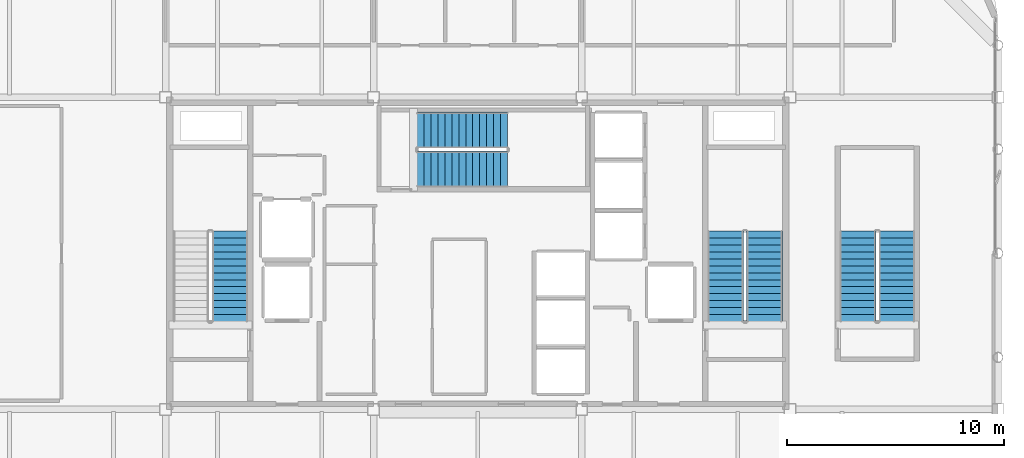
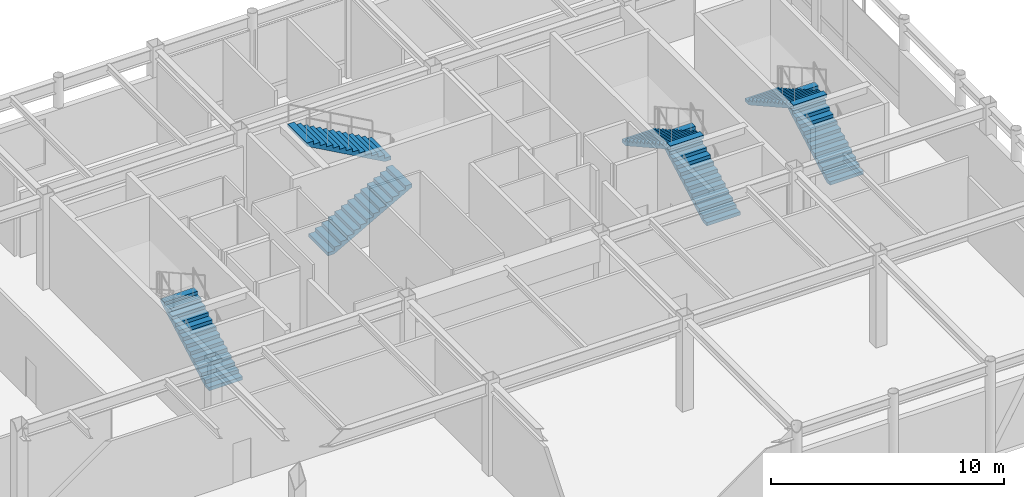
# One storey, part 19 of 21: 7 stair flights, 4 elements without a shape of their own.
"""IFC4 building model written with IfcOpenShell, lengths in metres."""

from ifc_helpers import new_model, si_unit, direction, frame, origin, place, context, subcontext, project, spatial, polyline, outline, extrude, material, type_object, element, aggregate, save


model = new_model("IFC4")

# Units and contexts
model_context = context("Model", 3, precision=1e-05, world=origin(), true_north=direction((0.0, 1.0)))
body_context = subcontext(model_context, "Body", "Model", "MODEL_VIEW")
ifc_project = project(units=[si_unit("LENGTHUNIT", "METRE"), si_unit("AREAUNIT", "SQUARE_METRE"), si_unit("VOLUMEUNIT", "CUBIC_METRE"), si_unit("PLANEANGLEUNIT", "RADIAN"), si_unit("MASSUNIT", "GRAM", prefix="KILO")], contexts=[model_context])

# Site, building, storey
site_placement = place(None, origin())
site = spatial("IfcSite", under=ifc_project, at=site_placement, CompositionType="ELEMENT")
building_placement = place(site_placement, origin())
building = spatial("IfcBuilding", under=site, at=building_placement, Name="Kallvorn Hotel Tower", CompositionType="ELEMENT")
storey_placement = place(building_placement, frame((0.0, 0.0, 290.60009765625)))
storey = spatial("IfcBuildingStorey", under=building, at=storey_placement, Name="L72", CompositionType="ELEMENT", Elevation=290.60009765625)

# Stair, stair flight
ifc_material_1 = material(Name="Precast concrete C40/50", Category="concrete")
stair_type = type_object("IfcStairType", Name="STR_CORE_DOGLEG", PredefinedType="HALF_TURN_STAIR", material=ifc_material_1)
stair_1_placement = place(storey_placement, origin())
stair_1 = element("IfcStair", 1, at=stair_1_placement, inside=storey, type_object=stair_type, Name="L72 Exit stair ST1", PredefinedType="HALF_TURN_STAIR")
ifc_material_2 = material(Name="Precast concrete C40/50", Category="concrete")
stair_flight_type = type_object("IfcStairFlightType", Name="FLT_CORE_1660", PredefinedType="STRAIGHT", material=ifc_material_2)
stair_flight_1_placement = place(storey_placement, frame((-11.429931640625, -3.139892578125, 0.0), z_axis=(0.0, 0.0, 1.0), x_axis=(0.0, 1.0, 0.0)))
stair_flight_1 = element("IfcStairFlight", 2, at=stair_flight_1_placement, type_object=stair_flight_type, Name="ST1 flight 1", NumberOfRisers=14, NumberOfTreads=13, PredefinedType="STRAIGHT", RiserHeight=0.178571429, TreadLength=0.32, context=body_context, shape_type="SweptSolid", body=[
    extrude(outline(polyline([(0.0, 0.0), (0.0, 0.178466796875), (0.320068359375, 0.178466796875), (0.320068359375, 0.357177734375), (0.639892578125, 0.357177734375), (0.639892578125, 0.53564453125), (0.9599609375, 0.53564453125), (0.9599609375, 0.71435546875), (1.280029296875, 0.71435546875), (1.280029296875, 0.892822265625), (1.60009765625, 0.892822265625), (1.60009765625, 1.071533203125), (1.919921875, 1.071533203125), (1.919921875, 1.25), (2.239990234375, 1.25), (2.239990234375, 1.428466796875), (2.56005859375, 1.428466796875), (2.56005859375, 1.607177734375), (2.8798828125, 1.607177734375), (2.8798828125, 1.78564453125), (3.199951171875, 1.78564453125), (3.199951171875, 1.96435546875), (3.52001953125, 1.96435546875), (3.52001953125, 2.142822265625), (3.840087890625, 2.142822265625), (3.840087890625, 2.321533203125), (4.159912109375, 2.321533203125), (4.159912109375, 2.5), (4.159912109375, 2.149658203125), (0.3076171875, 0.0), (0.0, 0.0)])), frame((0.0, 0.830078125, 0.0), z_axis=(0.0, -1.0, 0.0), x_axis=(1.0, 0.0, 0.0)), (0.0, 0.0, 1.0), 1.659912109375),
])
aggregate(stair_1, [stair_flight_1])

# Stair, stair flights
stair_2_placement = place(storey_placement, origin())
stair_2 = element("IfcStair", 3, at=stair_2_placement, inside=storey, type_object=stair_type, Name="L72 Exit stair ST2", PredefinedType="HALF_TURN_STAIR")
stair_flight_2_placement = place(storey_placement, frame((13.22998046875, -3.139892578125, 0.0), z_axis=(0.0, 0.0, 1.0), x_axis=(0.0, 1.0, 0.0)))
stair_flight_2 = element("IfcStairFlight", 4, at=stair_flight_2_placement, type_object=stair_flight_type, Name="ST2 flight 1", NumberOfRisers=14, NumberOfTreads=13, PredefinedType="STRAIGHT", RiserHeight=0.178571429, TreadLength=0.32, context=body_context, shape_type="SweptSolid", body=[
    extrude(outline(polyline([(0.0, 0.0), (0.0, 0.178466796875), (0.320068359375, 0.178466796875), (0.320068359375, 0.357177734375), (0.639892578125, 0.357177734375), (0.639892578125, 0.53564453125), (0.9599609375, 0.53564453125), (0.9599609375, 0.71435546875), (1.280029296875, 0.71435546875), (1.280029296875, 0.892822265625), (1.60009765625, 0.892822265625), (1.60009765625, 1.071533203125), (1.919921875, 1.071533203125), (1.919921875, 1.25), (2.239990234375, 1.25), (2.239990234375, 1.428466796875), (2.56005859375, 1.428466796875), (2.56005859375, 1.607177734375), (2.8798828125, 1.607177734375), (2.8798828125, 1.78564453125), (3.199951171875, 1.78564453125), (3.199951171875, 1.96435546875), (3.52001953125, 1.96435546875), (3.52001953125, 2.142822265625), (3.840087890625, 2.142822265625), (3.840087890625, 2.321533203125), (4.159912109375, 2.321533203125), (4.159912109375, 2.5), (4.159912109375, 2.149658203125), (0.3076171875, 0.0), (0.0, 0.0)])), frame((0.0, 0.830078125, 0.0), z_axis=(0.0, -1.0, 0.0), x_axis=(1.0, 0.0, 0.0)), (0.0, 0.0, 1.0), 1.659912109375),
])
stair_flight_3_placement = place(storey_placement, frame((11.429931640625, 1.02001953125, 2.5), z_axis=(0.0, 0.0, 1.0), x_axis=(0.0, -1.0, 0.0)))
stair_flight_3 = element("IfcStairFlight", 5, at=stair_flight_3_placement, type_object=stair_flight_type, Name="ST2 flight 2", NumberOfRisers=14, NumberOfTreads=13, PredefinedType="STRAIGHT", RiserHeight=0.178571429, TreadLength=0.32, context=body_context, shape_type="SweptSolid", body=[
    extrude(outline(polyline([(0.0, 0.0), (0.0, 0.178466796875), (0.320068359375, 0.178466796875), (0.320068359375, 0.357177734375), (0.639892578125, 0.357177734375), (0.639892578125, 0.53564453125), (0.9599609375, 0.53564453125), (0.9599609375, 0.71435546875), (1.280029296875, 0.71435546875), (1.280029296875, 0.892822265625), (1.60009765625, 0.892822265625), (1.60009765625, 1.071533203125), (1.919921875, 1.071533203125), (1.919921875, 1.25), (2.239990234375, 1.25), (2.239990234375, 1.428466796875), (2.56005859375, 1.428466796875), (2.56005859375, 1.607177734375), (2.8798828125, 1.607177734375), (2.8798828125, 1.78564453125), (3.199951171875, 1.78564453125), (3.199951171875, 1.96435546875), (3.52001953125, 1.96435546875), (3.52001953125, 2.142822265625), (3.840087890625, 2.142822265625), (3.840087890625, 2.321533203125), (4.159912109375, 2.321533203125), (4.159912109375, 2.5), (4.159912109375, 2.149658203125), (0.3076171875, 0.0), (0.0, 0.0)])), frame((0.0, 0.830078125, 0.0), z_axis=(0.0, -1.0, 0.0), x_axis=(1.0, 0.0, 0.0)), (0.0, 0.0, 1.0), 1.659912109375),
])
aggregate(stair_2, [stair_flight_2, stair_flight_3])

stair_3_placement = place(storey_placement, origin())
stair_3 = element("IfcStair", 6, at=stair_3_placement, inside=storey, type_object=stair_type, Name="L72 Exit stair ST3", PredefinedType="HALF_TURN_STAIR")
stair_flight_4_placement = place(storey_placement, frame((-2.7900390625, 3.8798828125, 0.0), z_axis=(0.0, 0.0, 1.0), x_axis=(1.0, 0.0, 0.0)))
stair_flight_4 = element("IfcStairFlight", 7, at=stair_flight_4_placement, type_object=stair_flight_type, Name="ST3 flight 1", NumberOfRisers=14, NumberOfTreads=13, PredefinedType="STRAIGHT", RiserHeight=0.178571429, TreadLength=0.32, context=body_context, shape_type="SweptSolid", body=[
    extrude(outline(polyline([(0.0, 0.0), (0.0, 0.178466796875), (0.320068359375, 0.178466796875), (0.320068359375, 0.357177734375), (0.639892578125, 0.357177734375), (0.639892578125, 0.53564453125), (0.9599609375, 0.53564453125), (0.9599609375, 0.71435546875), (1.280029296875, 0.71435546875), (1.280029296875, 0.892822265625), (1.60009765625, 0.892822265625), (1.60009765625, 1.071533203125), (1.919921875, 1.071533203125), (1.919921875, 1.25), (2.239990234375, 1.25), (2.239990234375, 1.428466796875), (2.56005859375, 1.428466796875), (2.56005859375, 1.607177734375), (2.8798828125, 1.607177734375), (2.8798828125, 1.78564453125), (3.199951171875, 1.78564453125), (3.199951171875, 1.96435546875), (3.52001953125, 1.96435546875), (3.52001953125, 2.142822265625), (3.840087890625, 2.142822265625), (3.840087890625, 2.321533203125), (4.159912109375, 2.321533203125), (4.159912109375, 2.5), (4.159912109375, 2.149658203125), (0.3076171875, 0.0), (0.0, 0.0)])), frame((0.0, 0.830078125, 0.0), z_axis=(0.0, -1.0, 0.0), x_axis=(1.0, 0.0, 0.0)), (0.0, 0.0, 1.0), 1.659912109375),
])
stair_flight_5_placement = place(storey_placement, frame((1.3701171875, 5.679931640625, 2.5), z_axis=(0.0, 0.0, 1.0), x_axis=(-1.0, 0.0, 0.0)))
stair_flight_5 = element("IfcStairFlight", 8, at=stair_flight_5_placement, type_object=stair_flight_type, Name="ST3 flight 2", NumberOfRisers=14, NumberOfTreads=13, PredefinedType="STRAIGHT", RiserHeight=0.178571429, TreadLength=0.32, context=body_context, shape_type="SweptSolid", body=[
    extrude(outline(polyline([(0.0, 0.0), (0.0, 0.178466796875), (0.320068359375, 0.178466796875), (0.320068359375, 0.357177734375), (0.639892578125, 0.357177734375), (0.639892578125, 0.53564453125), (0.9599609375, 0.53564453125), (0.9599609375, 0.71435546875), (1.280029296875, 0.71435546875), (1.280029296875, 0.892822265625), (1.60009765625, 0.892822265625), (1.60009765625, 1.071533203125), (1.919921875, 1.071533203125), (1.919921875, 1.25), (2.239990234375, 1.25), (2.239990234375, 1.428466796875), (2.56005859375, 1.428466796875), (2.56005859375, 1.607177734375), (2.8798828125, 1.607177734375), (2.8798828125, 1.78564453125), (3.199951171875, 1.78564453125), (3.199951171875, 1.96435546875), (3.52001953125, 1.96435546875), (3.52001953125, 2.142822265625), (3.840087890625, 2.142822265625), (3.840087890625, 2.321533203125), (4.159912109375, 2.321533203125), (4.159912109375, 2.5), (4.159912109375, 2.149658203125), (0.3076171875, 0.0), (0.0, 0.0)])), frame((0.0, 0.830078125, 0.0), z_axis=(0.0, -1.0, 0.0), x_axis=(1.0, 0.0, 0.0)), (0.0, 0.0, 1.0), 1.659912109375),
])
aggregate(stair_3, [stair_flight_4, stair_flight_5])

stair_4_placement = place(storey_placement, origin())
stair_4 = element("IfcStair", 9, at=stair_4_placement, inside=storey, type_object=stair_type, Name="L72 Exit stair ST4", PredefinedType="HALF_TURN_STAIR")
stair_flight_6_placement = place(storey_placement, frame((19.330078125, -3.139892578125, 0.0), z_axis=(0.0, 0.0, 1.0), x_axis=(0.0, 1.0, 0.0)))
stair_flight_6 = element("IfcStairFlight", 10, at=stair_flight_6_placement, type_object=stair_flight_type, Name="ST4 flight 1", NumberOfRisers=14, NumberOfTreads=13, PredefinedType="STRAIGHT", RiserHeight=0.178571429, TreadLength=0.32, context=body_context, shape_type="SweptSolid", body=[
    extrude(outline(polyline([(0.0, 0.0), (0.0, 0.178466796875), (0.320068359375, 0.178466796875), (0.320068359375, 0.357177734375), (0.639892578125, 0.357177734375), (0.639892578125, 0.53564453125), (0.9599609375, 0.53564453125), (0.9599609375, 0.71435546875), (1.280029296875, 0.71435546875), (1.280029296875, 0.892822265625), (1.60009765625, 0.892822265625), (1.60009765625, 1.071533203125), (1.919921875, 1.071533203125), (1.919921875, 1.25), (2.239990234375, 1.25), (2.239990234375, 1.428466796875), (2.56005859375, 1.428466796875), (2.56005859375, 1.607177734375), (2.8798828125, 1.607177734375), (2.8798828125, 1.78564453125), (3.199951171875, 1.78564453125), (3.199951171875, 1.96435546875), (3.52001953125, 1.96435546875), (3.52001953125, 2.142822265625), (3.840087890625, 2.142822265625), (3.840087890625, 2.321533203125), (4.159912109375, 2.321533203125), (4.159912109375, 2.5), (4.159912109375, 2.149658203125), (0.3076171875, 0.0), (0.0, 0.0)])), frame((0.0, 0.830078125, 0.0), z_axis=(0.0, -1.0, 0.0), x_axis=(1.0, 0.0, 0.0)), (0.0, 0.0, 1.0), 1.659912109375),
])
stair_flight_7_placement = place(storey_placement, frame((17.530029296875, 1.02001953125, 2.5), z_axis=(0.0, 0.0, 1.0), x_axis=(0.0, -1.0, 0.0)))
stair_flight_7 = element("IfcStairFlight", 11, at=stair_flight_7_placement, type_object=stair_flight_type, Name="ST4 flight 2", NumberOfRisers=14, NumberOfTreads=13, PredefinedType="STRAIGHT", RiserHeight=0.178571429, TreadLength=0.32, context=body_context, shape_type="SweptSolid", body=[
    extrude(outline(polyline([(0.0, 0.0), (0.0, 0.178466796875), (0.320068359375, 0.178466796875), (0.320068359375, 0.357177734375), (0.639892578125, 0.357177734375), (0.639892578125, 0.53564453125), (0.9599609375, 0.53564453125), (0.9599609375, 0.71435546875), (1.280029296875, 0.71435546875), (1.280029296875, 0.892822265625), (1.60009765625, 0.892822265625), (1.60009765625, 1.071533203125), (1.919921875, 1.071533203125), (1.919921875, 1.25), (2.239990234375, 1.25), (2.239990234375, 1.428466796875), (2.56005859375, 1.428466796875), (2.56005859375, 1.607177734375), (2.8798828125, 1.607177734375), (2.8798828125, 1.78564453125), (3.199951171875, 1.78564453125), (3.199951171875, 1.96435546875), (3.52001953125, 1.96435546875), (3.52001953125, 2.142822265625), (3.840087890625, 2.142822265625), (3.840087890625, 2.321533203125), (4.159912109375, 2.321533203125), (4.159912109375, 2.5), (4.159912109375, 2.149658203125), (0.3076171875, 0.0), (0.0, 0.0)])), frame((0.0, 0.830078125, 0.0), z_axis=(0.0, -1.0, 0.0), x_axis=(1.0, 0.0, 0.0)), (0.0, 0.0, 1.0), 1.659912109375),
])
aggregate(stair_4, [stair_flight_6, stair_flight_7])

save(model, "model.ifc")
